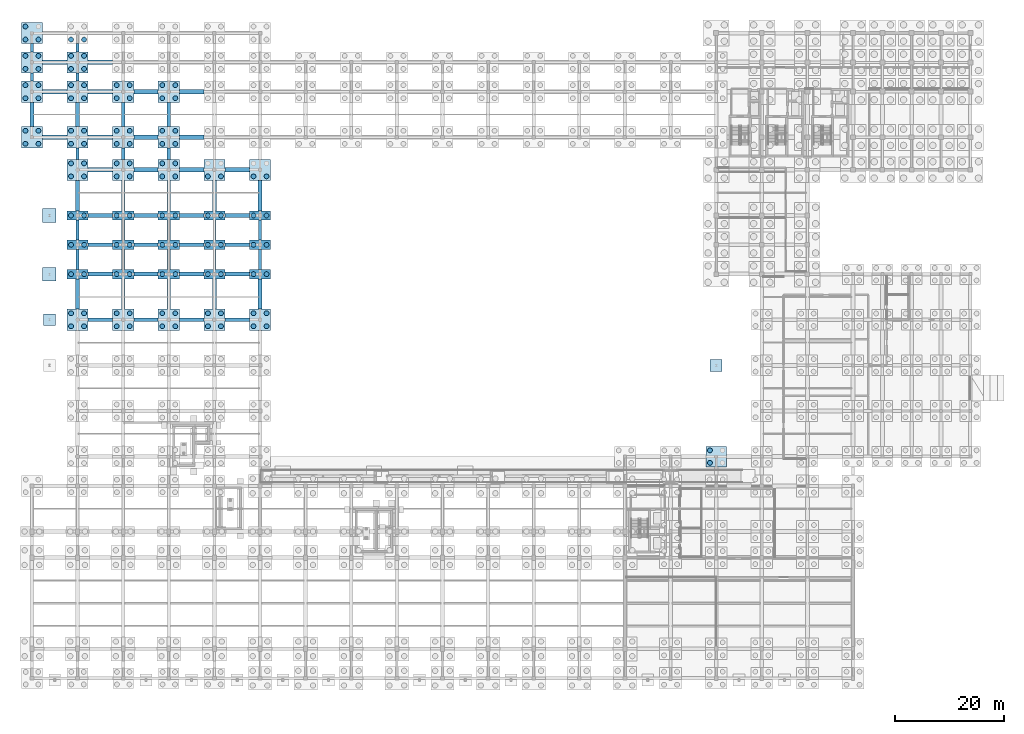
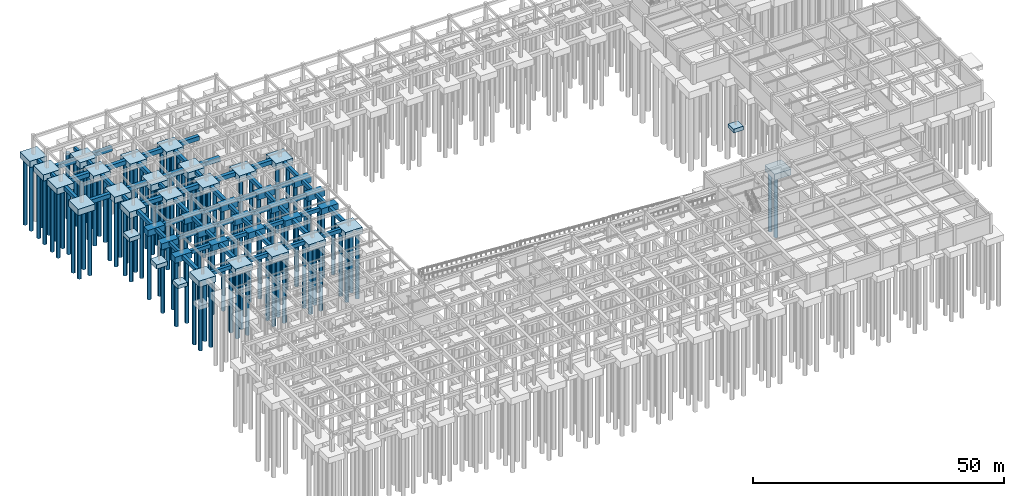
# One storey, part 5 of 49: 113 piles, 102 footings.
"""IFC4 building model written with IfcOpenShell, lengths in metres."""

from ifc_helpers import new_model, si_unit, direction, frame, origin, origin_2d, place, context, subcontext, project, spatial, rectangle, circle, extrude, material, material_profile, profile_set, type_object, element, save


model = new_model("IFC4")

# Units and contexts
model_context = context("Model", 3, precision=1e-05, world=origin(), true_north=direction((0.0, 1.0)))
body_context = subcontext(model_context, "Body", "Model", "MODEL_VIEW")
ifc_project = project(units=[si_unit("LENGTHUNIT", "METRE"), si_unit("AREAUNIT", "SQUARE_METRE"), si_unit("VOLUMEUNIT", "CUBIC_METRE"), si_unit("PLANEANGLEUNIT", "RADIAN"), si_unit("MASSUNIT", "GRAM", prefix="KILO")], contexts=[model_context])

# Site, building, storey
site_placement = place(None, origin())
site = spatial("IfcSite", under=ifc_project, at=site_placement, CompositionType="ELEMENT")
building_placement = place(site_placement, origin())
building = spatial("IfcBuilding", under=site, at=building_placement, Name="Krzemoval Escarpment Law Courts", CompositionType="ELEMENT")
storey_placement = place(building_placement, frame((0.0, 0.0, -4.800048828125)))
storey = spatial("IfcBuildingStorey", under=building, at=storey_placement, Name="B1", CompositionType="ELEMENT", Elevation=-4.800048828125)

# Footings
ifc_material_1 = material(Name="Concrete C35/45", Category="concrete")
footing_type_1 = type_object("IfcFootingType", Name="CAP-2P-3900x1700x1450", PredefinedType="PILE_CAP", material=ifc_material_1)
for number, where, z_axis, x_axis, name in (
    (1, (8.39990234375, 74.39990234375, -1.44970703125), (0.0, 0.0, 1.0), (1.0, 0.0, 0.0), "Pile Cap FC-019"),
    (2, (8.39990234375, 79.800048828125, -1.44970703125), (0.0, 0.0, 1.0), (1.0, 0.0, 0.0), "Pile Cap FC-020"),
    (3, (8.39990234375, 85.199951171875, -1.44970703125), (0.0, 0.0, 1.0), (1.0, 0.0, 0.0), "Pile Cap FC-021"),
    (4, (16.800048828125, 74.39990234375, -1.44970703125), (0.0, 0.0, 1.0), (1.0, 0.0, 0.0), "Pile Cap FC-036"),
    (5, (16.800048828125, 79.800048828125, -1.44970703125), (0.0, 0.0, 1.0), (1.0, 0.0, 0.0), "Pile Cap FC-037"),
    (6, (16.800048828125, 85.199951171875, -1.44970703125), (0.0, 0.0, 1.0), (1.0, 0.0, 0.0), "Pile Cap FC-038"),
    (7, (25.199951171875, 74.39990234375, -1.44970703125), (0.0, 0.0, 1.0), (1.0, 0.0, 0.0), "Pile Cap FC-053"),
    (8, (25.199951171875, 79.800048828125, -1.44970703125), (0.0, 0.0, 1.0), (1.0, 0.0, 0.0), "Pile Cap FC-054"),
    (9, (25.199951171875, 85.199951171875, -1.44970703125), (0.0, 0.0, 1.0), (1.0, 0.0, 0.0), "Pile Cap FC-055"),
    (10, (33.60009765625, 74.39990234375, -1.44970703125), (0.0, 0.0, 1.0), (1.0, 0.0, 0.0), "Pile Cap FC-070"),
    (11, (33.60009765625, 79.800048828125, -1.44970703125), (0.0, 0.0, 1.0), (1.0, 0.0, 0.0), "Pile Cap FC-071"),
    (12, (33.60009765625, 85.199951171875, -1.44970703125), (0.0, 0.0, 1.0), (1.0, 0.0, 0.0), "Pile Cap FC-072"),
    (13, (42.0, 74.39990234375, -1.44970703125), (0.0, 0.0, 1.0), (1.0, 0.0, 0.0), "Pile Cap FC-087"),
    (14, (42.0, 79.800048828125, -1.44970703125), (0.0, 0.0, 1.0), (1.0, 0.0, 0.0), "Pile Cap FC-088"),
    (15, (42.0, 85.199951171875, -1.44970703125), (0.0, 0.0, 1.0), (1.0, 0.0, 0.0), "Pile Cap FC-089"),
):
    element("IfcFooting", number, at=place(storey_placement, frame(where, z_axis=z_axis, x_axis=x_axis)), inside=storey, type_object=footing_type_1, Name=name, PredefinedType="PILE_CAP", context=body_context, shape_type="SweptSolid", body=[
        extrude(rectangle(XDim=3.89990234375, YDim=1.699951171875, at=origin_2d()), origin(), (0.0, 0.0, 1.0), 1.449951171875),
    ])
ifc_material_2 = material(Name="Concrete C35/45", Category="concrete")
footing_type_2 = type_object("IfcFootingType", Name="CAP-4P-3800x3800x1450", PredefinedType="PILE_CAP", material=ifc_material_2)
footing_placement = place(storey_placement, frame((126.0, 40.800048828125, -1.44970703125), z_axis=(0.0, 0.0, 1.0), x_axis=(1.0, 0.0, 0.0)))
element("IfcFooting", 16, at=footing_placement, inside=storey, type_object=footing_type_2, Name="Pile Cap FC-174", PredefinedType="PILE_CAP", context=body_context, shape_type="SweptSolid", body=[
    extrude(rectangle(XDim=3.800048828125, YDim=3.800048828125, at=origin_2d()), origin(), (0.0, 0.0, 1.0), 1.449951171875),
])
ifc_material_3 = material(Name="Concrete C35/45", Category="concrete")
footing_type_3 = type_object("IfcFootingType", Name="CAP-4P-3900x3900x1500", PredefinedType="PILE_CAP", material=ifc_material_3)
for number, where, z_axis, x_axis, name in (
    (17, (0.0, 99.60009765625, -1.5), (0.0, 0.0, 1.0), (1.0, 0.0, 0.0), "Pile Cap FC-006"),
    (18, (0.0, 108.0, -1.5), (0.0, 0.0, 1.0), (1.0, 0.0, 0.0), "Pile Cap FC-007"),
    (19, (0.0, 113.39990234375, -1.5), (0.0, 0.0, 1.0), (1.0, 0.0, 0.0), "Pile Cap FC-008"),
    (20, (0.0, 118.800048828125, -1.5), (0.0, 0.0, 1.0), (1.0, 0.0, 0.0), "Pile Cap FC-009"),
    (21, (8.39990234375, 66.0, -1.5), (0.0, 0.0, 1.0), (1.0, 0.0, 0.0), "Pile Cap FC-018"),
    (22, (8.39990234375, 93.60009765625, -1.5), (0.0, 0.0, 1.0), (1.0, 0.0, 0.0), "Pile Cap FC-022"),
    (23, (8.39990234375, 99.60009765625, -1.5), (0.0, 0.0, 1.0), (1.0, 0.0, 0.0), "Pile Cap FC-023"),
    (24, (8.39990234375, 108.0, -1.5), (0.0, 0.0, 1.0), (1.0, 0.0, 0.0), "Pile Cap FC-024"),
    (25, (8.39990234375, 113.39990234375, -1.5), (0.0, 0.0, 1.0), (1.0, 0.0, 0.0), "Pile Cap FC-025"),
    (26, (16.800048828125, 66.0, -1.5), (0.0, 0.0, 1.0), (1.0, 0.0, 0.0), "Pile Cap FC-035"),
    (27, (16.800048828125, 93.60009765625, -1.5), (0.0, 0.0, 1.0), (1.0, 0.0, 0.0), "Pile Cap FC-039"),
    (28, (16.800048828125, 99.60009765625, -1.5), (0.0, 0.0, 1.0), (1.0, 0.0, 0.0), "Pile Cap FC-040"),
    (29, (16.800048828125, 108.0, -1.5), (0.0, 0.0, 1.0), (1.0, 0.0, 0.0), "Pile Cap FC-041"),
    (30, (25.199951171875, 66.0, -1.5), (0.0, 0.0, 1.0), (1.0, 0.0, 0.0), "Pile Cap FC-052"),
    (31, (25.199951171875, 93.60009765625, -1.5), (0.0, 0.0, 1.0), (1.0, 0.0, 0.0), "Pile Cap FC-056"),
    (32, (25.199951171875, 99.60009765625, -1.5), (0.0, 0.0, 1.0), (1.0, 0.0, 0.0), "Pile Cap FC-057"),
    (33, (25.199951171875, 108.0, -1.5), (0.0, 0.0, 1.0), (1.0, 0.0, 0.0), "Pile Cap FC-058"),
    (34, (33.60009765625, 66.0, -1.5), (0.0, 0.0, 1.0), (1.0, 0.0, 0.0), "Pile Cap FC-069"),
    (35, (33.60009765625, 93.60009765625, -1.5), (0.0, 0.0, 1.0), (1.0, 0.0, 0.0), "Pile Cap FC-073"),
    (36, (42.0, 66.0, -1.5), (0.0, 0.0, 1.0), (1.0, 0.0, 0.0), "Pile Cap FC-086"),
    (37, (42.0, 93.60009765625, -1.5), (0.0, 0.0, 1.0), (1.0, 0.0, 0.0), "Pile Cap FC-090"),
):
    element("IfcFooting", number, at=place(storey_placement, frame(where, z_axis=z_axis, x_axis=x_axis)), inside=storey, type_object=footing_type_3, Name=name, PredefinedType="PILE_CAP", context=body_context, shape_type="SweptSolid", body=[
        extrude(rectangle(XDim=3.89990234375, YDim=3.89990234375, at=origin_2d()), origin(), (0.0, 0.0, 1.0), 1.5),
    ])
ifc_material_4 = material(Name="Concrete C35/45", Category="concrete")
footing_type_4 = type_object("IfcFootingType", Name="GB-600x800-L1500", PredefinedType="FOOTING_BEAM", material=ifc_material_4)
for number, where, z_axis, x_axis, name in (
    (38, (0.0, 110.699951171875, -0.7998046875), (0.0, 0.0, 1.0), (0.0, 1.0, 0.0), "Ground Tie Beam GB-219"),
    (39, (0.0, 116.10009765625, -0.7998046875), (0.0, 0.0, 1.0), (0.0, 1.0, 0.0), "Ground Tie Beam GB-220"),
    (40, (8.39990234375, 110.699951171875, -0.7998046875), (0.0, 0.0, 1.0), (0.0, 1.0, 0.0), "Ground Tie Beam GB-235"),
    (41, (8.39990234375, 116.10009765625, -0.7998046875), (0.0, 0.0, 1.0), (0.0, 1.0, 0.0), "Ground Tie Beam GB-236"),
):
    element("IfcFooting", number, at=place(storey_placement, frame(where, z_axis=z_axis, x_axis=x_axis)), inside=storey, type_object=footing_type_4, Name=name, PredefinedType="FOOTING_BEAM", context=body_context, shape_type="SweptSolid", body=[
        extrude(rectangle(XDim=1.5, YDim=0.60009765625, at=origin_2d()), origin(), (0.0, 0.0, 1.0), 0.800048828125),
    ])
ifc_material_5 = material(Name="Concrete C35/45", Category="concrete")
footing_type_5 = type_object("IfcFootingType", Name="GB-600x800-L2100", PredefinedType="FOOTING_BEAM", material=ifc_material_5)
for number, where, z_axis, x_axis, name in (
    (42, (8.39990234375, 96.60009765625, -0.7998046875), (0.0, 0.0, 1.0), (0.0, 1.0, 0.0), "Ground Tie Beam GB-233"),
    (43, (16.800048828125, 96.60009765625, -0.7998046875), (0.0, 0.0, 1.0), (0.0, 1.0, 0.0), "Ground Tie Beam GB-249"),
    (44, (25.199951171875, 96.60009765625, -0.7998046875), (0.0, 0.0, 1.0), (0.0, 1.0, 0.0), "Ground Tie Beam GB-265"),
):
    element("IfcFooting", number, at=place(storey_placement, frame(where, z_axis=z_axis, x_axis=x_axis)), inside=storey, type_object=footing_type_5, Name=name, PredefinedType="FOOTING_BEAM", context=body_context, shape_type="SweptSolid", body=[
        extrude(rectangle(XDim=2.10009765625, YDim=0.60009765625, at=origin_2d()), origin(), (0.0, 0.0, 1.0), 0.800048828125),
    ])
ifc_material_6 = material(Name="Concrete C35/45", Category="concrete")
footing_type_6 = type_object("IfcFootingType", Name="GB-600x800-L3700", PredefinedType="FOOTING_BEAM", material=ifc_material_6)
for number, where, z_axis, x_axis, name in (
    (45, (8.39990234375, 77.10009765625, -0.7998046875), (0.0, 0.0, 1.0), (0.0, 1.0, 0.0), "Ground Tie Beam GB-230"),
    (46, (8.39990234375, 82.5, -0.7998046875), (0.0, 0.0, 1.0), (0.0, 1.0, 0.0), "Ground Tie Beam GB-231"),
    (47, (16.800048828125, 77.10009765625, -0.7998046875), (0.0, 0.0, 1.0), (0.0, 1.0, 0.0), "Ground Tie Beam GB-246"),
    (48, (16.800048828125, 82.5, -0.7998046875), (0.0, 0.0, 1.0), (0.0, 1.0, 0.0), "Ground Tie Beam GB-247"),
    (49, (25.199951171875, 77.10009765625, -0.7998046875), (0.0, 0.0, 1.0), (0.0, 1.0, 0.0), "Ground Tie Beam GB-262"),
    (50, (25.199951171875, 82.5, -0.7998046875), (0.0, 0.0, 1.0), (0.0, 1.0, 0.0), "Ground Tie Beam GB-263"),
    (51, (33.60009765625, 77.10009765625, -0.7998046875), (0.0, 0.0, 1.0), (0.0, 1.0, 0.0), "Ground Tie Beam GB-278"),
    (52, (33.60009765625, 82.5, -0.7998046875), (0.0, 0.0, 1.0), (0.0, 1.0, 0.0), "Ground Tie Beam GB-279"),
    (53, (42.0, 77.10009765625, -0.7998046875), (0.0, 0.0, 1.0), (0.0, 1.0, 0.0), "Ground Tie Beam GB-293"),
    (54, (42.0, 82.5, -0.7998046875), (0.0, 0.0, 1.0), (0.0, 1.0, 0.0), "Ground Tie Beam GB-294"),
):
    element("IfcFooting", number, at=place(storey_placement, frame(where, z_axis=z_axis, x_axis=x_axis)), inside=storey, type_object=footing_type_6, Name=name, PredefinedType="FOOTING_BEAM", context=body_context, shape_type="SweptSolid", body=[
        extrude(rectangle(XDim=3.699951171875, YDim=0.60009765625, at=origin_2d()), origin(), (0.0, 0.0, 1.0), 0.800048828125),
    ])
ifc_material_7 = material(Name="Concrete C35/45", Category="concrete")
footing_type_7 = type_object("IfcFootingType", Name="GB-700x900-L4500", PredefinedType="FOOTING_BEAM", material=ifc_material_7)
for number, where, z_axis, x_axis, name in (
    (55, (12.60009765625, 66.0, -0.89990234375), (0.0, 0.0, 1.0), (1.0, 0.0, 0.0), "Ground Tie Beam GB-112"),
    (56, (21.0, 66.0, -0.89990234375), (0.0, 0.0, 1.0), (1.0, 0.0, 0.0), "Ground Tie Beam GB-113"),
    (57, (29.39990234375, 66.0, -0.89990234375), (0.0, 0.0, 1.0), (1.0, 0.0, 0.0), "Ground Tie Beam GB-114"),
    (58, (37.800048828125, 66.0, -0.89990234375), (0.0, 0.0, 1.0), (1.0, 0.0, 0.0), "Ground Tie Beam GB-115"),
    (59, (12.60009765625, 74.39990234375, -0.89990234375), (0.0, 0.0, 1.0), (1.0, 0.0, 0.0), "Ground Tie Beam GB-122"),
    (60, (21.0, 74.39990234375, -0.89990234375), (0.0, 0.0, 1.0), (1.0, 0.0, 0.0), "Ground Tie Beam GB-123"),
    (61, (29.39990234375, 74.39990234375, -0.89990234375), (0.0, 0.0, 1.0), (1.0, 0.0, 0.0), "Ground Tie Beam GB-124"),
    (62, (37.800048828125, 74.39990234375, -0.89990234375), (0.0, 0.0, 1.0), (1.0, 0.0, 0.0), "Ground Tie Beam GB-125"),
    (63, (12.60009765625, 79.800048828125, -0.89990234375), (0.0, 0.0, 1.0), (1.0, 0.0, 0.0), "Ground Tie Beam GB-133"),
    (64, (21.0, 79.800048828125, -0.89990234375), (0.0, 0.0, 1.0), (1.0, 0.0, 0.0), "Ground Tie Beam GB-134"),
    (65, (29.39990234375, 79.800048828125, -0.89990234375), (0.0, 0.0, 1.0), (1.0, 0.0, 0.0), "Ground Tie Beam GB-135"),
    (66, (37.800048828125, 79.800048828125, -0.89990234375), (0.0, 0.0, 1.0), (1.0, 0.0, 0.0), "Ground Tie Beam GB-136"),
    (67, (12.60009765625, 85.199951171875, -0.89990234375), (0.0, 0.0, 1.0), (1.0, 0.0, 0.0), "Ground Tie Beam GB-139"),
    (68, (21.0, 85.199951171875, -0.89990234375), (0.0, 0.0, 1.0), (1.0, 0.0, 0.0), "Ground Tie Beam GB-140"),
    (69, (29.39990234375, 85.199951171875, -0.89990234375), (0.0, 0.0, 1.0), (1.0, 0.0, 0.0), "Ground Tie Beam GB-141"),
    (70, (37.800048828125, 85.199951171875, -0.89990234375), (0.0, 0.0, 1.0), (1.0, 0.0, 0.0), "Ground Tie Beam GB-142"),
    (71, (0.0, 103.800048828125, -0.89990234375), (0.0, 0.0, 1.0), (0.0, 1.0, 0.0), "Ground Tie Beam GB-218"),
    (72, (8.39990234375, 103.800048828125, -0.89990234375), (0.0, 0.0, 1.0), (0.0, 1.0, 0.0), "Ground Tie Beam GB-234"),
    (73, (16.800048828125, 103.800048828125, -0.89990234375), (0.0, 0.0, 1.0), (0.0, 1.0, 0.0), "Ground Tie Beam GB-250"),
    (74, (25.199951171875, 103.800048828125, -0.89990234375), (0.0, 0.0, 1.0), (0.0, 1.0, 0.0), "Ground Tie Beam GB-266"),
):
    element("IfcFooting", number, at=place(storey_placement, frame(where, z_axis=z_axis, x_axis=x_axis)), inside=storey, type_object=footing_type_7, Name=name, PredefinedType="FOOTING_BEAM", context=body_context, shape_type="SweptSolid", body=[
        extrude(rectangle(XDim=4.5, YDim=0.699951171875, at=origin_2d()), origin(), (0.0, 0.0, 1.0), 0.89990234375),
    ])
ifc_material_8 = material(Name="Concrete C35/45", Category="concrete")
footing_type_8 = type_object("IfcFootingType", Name="GB-700x900-L5600", PredefinedType="FOOTING_BEAM", material=ifc_material_8)
for number, where, z_axis, x_axis, name in (
    (75, (8.39990234375, 70.75, -0.89990234375), (0.0, 0.0, 1.0), (0.0, 1.0, 0.0), "Ground Tie Beam GB-229"),
    (76, (8.39990234375, 88.85009765625, -0.89990234375), (0.0, 0.0, 1.0), (0.0, 1.0, 0.0), "Ground Tie Beam GB-232"),
    (77, (16.800048828125, 70.75, -0.89990234375), (0.0, 0.0, 1.0), (0.0, 1.0, 0.0), "Ground Tie Beam GB-245"),
    (78, (16.800048828125, 88.85009765625, -0.89990234375), (0.0, 0.0, 1.0), (0.0, 1.0, 0.0), "Ground Tie Beam GB-248"),
    (79, (25.199951171875, 70.75, -0.89990234375), (0.0, 0.0, 1.0), (0.0, 1.0, 0.0), "Ground Tie Beam GB-261"),
    (80, (25.199951171875, 88.85009765625, -0.89990234375), (0.0, 0.0, 1.0), (0.0, 1.0, 0.0), "Ground Tie Beam GB-264"),
    (81, (33.60009765625, 70.75, -0.89990234375), (0.0, 0.0, 1.0), (0.0, 1.0, 0.0), "Ground Tie Beam GB-277"),
    (82, (33.60009765625, 88.85009765625, -0.89990234375), (0.0, 0.0, 1.0), (0.0, 1.0, 0.0), "Ground Tie Beam GB-280"),
    (83, (42.0, 70.75, -0.89990234375), (0.0, 0.0, 1.0), (0.0, 1.0, 0.0), "Ground Tie Beam GB-292"),
    (84, (42.0, 88.85009765625, -0.89990234375), (0.0, 0.0, 1.0), (0.0, 1.0, 0.0), "Ground Tie Beam GB-295"),
):
    element("IfcFooting", number, at=place(storey_placement, frame(where, z_axis=z_axis, x_axis=x_axis)), inside=storey, type_object=footing_type_8, Name=name, PredefinedType="FOOTING_BEAM", context=body_context, shape_type="SweptSolid", body=[
        extrude(rectangle(XDim=5.60009765625, YDim=0.699951171875, at=origin_2d()), origin(), (0.0, 0.0, 1.0), 0.89990234375),
    ])
ifc_material_9 = material(Name="Concrete C35/45", Category="concrete")
footing_type_9 = type_object("IfcFootingType", Name="GB-800x1000-L4500", PredefinedType="FOOTING_BEAM", material=ifc_material_9)
for number, where, z_axis, x_axis, name in (
    (85, (12.60009765625, 93.60009765625, -1.0), (0.0, 0.0, 1.0), (1.0, 0.0, 0.0), "Ground Tie Beam GB-145"),
    (86, (21.0, 93.60009765625, -1.0), (0.0, 0.0, 1.0), (1.0, 0.0, 0.0), "Ground Tie Beam GB-146"),
    (87, (29.39990234375, 93.60009765625, -1.0), (0.0, 0.0, 1.0), (1.0, 0.0, 0.0), "Ground Tie Beam GB-147"),
    (88, (37.800048828125, 93.60009765625, -1.0), (0.0, 0.0, 1.0), (1.0, 0.0, 0.0), "Ground Tie Beam GB-148"),
    (89, (4.199951171875, 99.60009765625, -1.0), (0.0, 0.0, 1.0), (1.0, 0.0, 0.0), "Ground Tie Beam GB-152"),
    (90, (12.60009765625, 99.60009765625, -1.0), (0.0, 0.0, 1.0), (1.0, 0.0, 0.0), "Ground Tie Beam GB-153"),
    (91, (21.0, 99.60009765625, -1.0), (0.0, 0.0, 1.0), (1.0, 0.0, 0.0), "Ground Tie Beam GB-154"),
    (92, (29.39990234375, 99.60009765625, -1.0), (0.0, 0.0, 1.0), (1.0, 0.0, 0.0), "Ground Tie Beam GB-155"),
    (93, (4.199951171875, 108.0, -1.0), (0.0, 0.0, 1.0), (1.0, 0.0, 0.0), "Ground Tie Beam GB-170"),
    (94, (12.60009765625, 108.0, -1.0), (0.0, 0.0, 1.0), (1.0, 0.0, 0.0), "Ground Tie Beam GB-171"),
    (95, (21.0, 108.0, -1.0), (0.0, 0.0, 1.0), (1.0, 0.0, 0.0), "Ground Tie Beam GB-172"),
    (96, (29.39990234375, 108.0, -1.0), (0.0, 0.0, 1.0), (1.0, 0.0, 0.0), "Ground Tie Beam GB-173"),
    (97, (4.199951171875, 113.39990234375, -1.0), (0.0, 0.0, 1.0), (1.0, 0.0, 0.0), "Ground Tie Beam GB-188"),
    (98, (12.60009765625, 113.39990234375, -1.0), (0.0, 0.0, 1.0), (1.0, 0.0, 0.0), "Ground Tie Beam GB-189"),
):
    element("IfcFooting", number, at=place(storey_placement, frame(where, z_axis=z_axis, x_axis=x_axis)), inside=storey, type_object=footing_type_9, Name=name, PredefinedType="FOOTING_BEAM", context=body_context, shape_type="SweptSolid", body=[
        extrude(rectangle(XDim=4.5, YDim=0.800048828125, at=origin_2d()), origin(), (0.0, 0.0, 1.0), 1.0),
    ])
ifc_material_10 = material(Name="Concrete C35/45", Category="concrete")
footing_type_10 = type_object("IfcFootingType", Name="PAD-2200x2200x900", PredefinedType="PAD_FOOTING", material=ifc_material_10)
for number, where, z_axis, x_axis, name in (
    (99, (3.199951171875, 66.0, -0.89990234375), (0.0, 0.0, 1.0), (1.0, 0.0, 0.0), "Pad Footing PF-002"),
    (100, (126.0, 57.60009765625, -0.89990234375), (0.0, 0.0, 1.0), (1.0, 0.0, 0.0), "Passage Canopy Pad PF-PASS-126"),
):
    element("IfcFooting", number, at=place(storey_placement, frame(where, z_axis=z_axis, x_axis=x_axis)), inside=storey, type_object=footing_type_10, Name=name, PredefinedType="PAD_FOOTING", context=body_context, shape_type="SweptSolid", body=[
        extrude(rectangle(XDim=2.199951171875, YDim=2.199951171875, at=origin_2d()), origin(), (0.0, 0.0, 1.0), 0.89990234375),
    ])
ifc_material_11 = material(Name="Concrete C35/45", Category="concrete")
footing_type_11 = type_object("IfcFootingType", Name="PAD-2500x2500x1000", PredefinedType="PAD_FOOTING", material=ifc_material_11)
for number, where, z_axis, x_axis, name in (
    (101, (3.199951171875, 74.39990234375, -1.0), (0.0, 0.0, 1.0), (1.0, 0.0, 0.0), "Pad Footing PF-003"),
    (102, (3.199951171875, 85.199951171875, -1.0), (0.0, 0.0, 1.0), (1.0, 0.0, 0.0), "Pad Footing PF-004"),
):
    element("IfcFooting", number, at=place(storey_placement, frame(where, z_axis=z_axis, x_axis=x_axis)), inside=storey, type_object=footing_type_11, Name=name, PredefinedType="PAD_FOOTING", context=body_context, shape_type="SweptSolid", body=[
        extrude(rectangle(XDim=2.5, YDim=2.5, at=origin_2d()), origin(), (0.0, 0.0, 1.0), 1.0),
    ])

# Piles
ifc_material_12 = material(Name="Concrete C35/45", Category="concrete")
ifc_material_profile_1 = material_profile(ifc_material_12, circle(Radius=0.449951171875, at=origin_2d()), Name="PILE D900")
ifc_profile_set_1 = profile_set([ifc_material_profile_1], Name="Concrete C35/45")
pile_type_1 = type_object("IfcPileType", Name="PILE-D750-14M", PredefinedType="BORED", material=ifc_profile_set_1)
for number, where, z_axis, x_axis, name in (
    (103, (124.85009765625, 39.64990234375, -1.300048828125), (0.0, 0.0, -1.0), (1.0, 0.0, 0.0), "Bored Pile FP-0635"),
    (104, (124.85009765625, 41.949951171875, -1.300048828125), (0.0, 0.0, -1.0), (1.0, 0.0, 0.0), "Bored Pile FP-0637"),
):
    element("IfcPile", number, at=place(storey_placement, frame(where, z_axis=z_axis, x_axis=x_axis)), inside=storey, type_object=pile_type_1, Name=name, PredefinedType="BORED", context=body_context, shape_type="SweptSolid", body=[
        extrude(circle(Radius=0.449951171875, at=origin_2d()), origin(), (0.0, 0.0, 1.0), 14.5),
    ])
ifc_material_13 = material(Name="Concrete C35/45", Category="concrete")
ifc_material_profile_2 = material_profile(ifc_material_13, circle(Radius=0.449951171875, at=origin_2d()), Name="PILE D900")
ifc_profile_set_2 = profile_set([ifc_material_profile_2], Name="Concrete C35/45")
pile_type_2 = type_object("IfcPileType", Name="PILE-D900-16M", PredefinedType="BORED", material=ifc_profile_set_2)
for number, where, z_axis, x_axis, name in (
    (105, (-1.199951171875, 98.39990234375, -1.349853515625), (0.0, 0.0, -1.0), (1.0, 0.0, 0.0), "Bored Pile FP-0019"),
    (106, (1.199951171875, 98.39990234375, -1.349853515625), (0.0, 0.0, -1.0), (1.0, 0.0, 0.0), "Bored Pile FP-0020"),
    (107, (-1.199951171875, 100.800048828125, -1.349853515625), (0.0, 0.0, -1.0), (1.0, 0.0, 0.0), "Bored Pile FP-0021"),
    (108, (1.199951171875, 100.800048828125, -1.349853515625), (0.0, 0.0, -1.0), (1.0, 0.0, 0.0), "Bored Pile FP-0022"),
    (109, (-1.199951171875, 106.800048828125, -1.349853515625), (0.0, 0.0, -1.0), (1.0, 0.0, 0.0), "Bored Pile FP-0023"),
    (110, (1.199951171875, 106.800048828125, -1.349853515625), (0.0, 0.0, -1.0), (1.0, 0.0, 0.0), "Bored Pile FP-0024"),
    (111, (-1.199951171875, 109.199951171875, -1.349853515625), (0.0, 0.0, -1.0), (1.0, 0.0, 0.0), "Bored Pile FP-0025"),
    (112, (1.199951171875, 109.199951171875, -1.349853515625), (0.0, 0.0, -1.0), (1.0, 0.0, 0.0), "Bored Pile FP-0026"),
    (113, (-1.199951171875, 112.199951171875, -1.349853515625), (0.0, 0.0, -1.0), (1.0, 0.0, 0.0), "Bored Pile FP-0027"),
    (114, (1.199951171875, 112.199951171875, -1.349853515625), (0.0, 0.0, -1.0), (1.0, 0.0, 0.0), "Bored Pile FP-0028"),
    (115, (-1.199951171875, 114.60009765625, -1.349853515625), (0.0, 0.0, -1.0), (1.0, 0.0, 0.0), "Bored Pile FP-0029"),
    (116, (1.199951171875, 114.60009765625, -1.349853515625), (0.0, 0.0, -1.0), (1.0, 0.0, 0.0), "Bored Pile FP-0030"),
    (117, (-1.199951171875, 117.60009765625, -1.349853515625), (0.0, 0.0, -1.0), (1.0, 0.0, 0.0), "Bored Pile FP-0031"),
    (118, (1.199951171875, 117.60009765625, -1.349853515625), (0.0, 0.0, -1.0), (1.0, 0.0, 0.0), "Bored Pile FP-0032"),
    (119, (-1.199951171875, 120.0, -1.349853515625), (0.0, 0.0, -1.0), (1.0, 0.0, 0.0), "Bored Pile FP-0033"),
    (120, (7.199951171875, 64.800048828125, -1.349853515625), (0.0, 0.0, -1.0), (1.0, 0.0, 0.0), "Bored Pile FP-0065"),
    (121, (9.60009765625, 64.800048828125, -1.349853515625), (0.0, 0.0, -1.0), (1.0, 0.0, 0.0), "Bored Pile FP-0066"),
    (122, (7.199951171875, 67.199951171875, -1.349853515625), (0.0, 0.0, -1.0), (1.0, 0.0, 0.0), "Bored Pile FP-0067"),
    (123, (9.60009765625, 67.199951171875, -1.349853515625), (0.0, 0.0, -1.0), (1.0, 0.0, 0.0), "Bored Pile FP-0068"),
    (124, (7.199951171875, 74.39990234375, -1.300048828125), (0.0, 0.0, -1.0), (1.0, 0.0, 0.0), "Bored Pile FP-0069"),
    (125, (9.60009765625, 74.39990234375, -1.300048828125), (0.0, 0.0, -1.0), (1.0, 0.0, 0.0), "Bored Pile FP-0070"),
    (126, (7.199951171875, 79.800048828125, -1.300048828125), (0.0, 0.0, -1.0), (1.0, 0.0, 0.0), "Bored Pile FP-0071"),
    (127, (9.60009765625, 79.800048828125, -1.300048828125), (0.0, 0.0, -1.0), (1.0, 0.0, 0.0), "Bored Pile FP-0072"),
    (128, (7.199951171875, 85.199951171875, -1.300048828125), (0.0, 0.0, -1.0), (1.0, 0.0, 0.0), "Bored Pile FP-0073"),
    (129, (9.60009765625, 85.199951171875, -1.300048828125), (0.0, 0.0, -1.0), (1.0, 0.0, 0.0), "Bored Pile FP-0074"),
    (130, (7.199951171875, 92.39990234375, -1.349853515625), (0.0, 0.0, -1.0), (1.0, 0.0, 0.0), "Bored Pile FP-0075"),
    (131, (9.60009765625, 92.39990234375, -1.349853515625), (0.0, 0.0, -1.0), (1.0, 0.0, 0.0), "Bored Pile FP-0076"),
    (132, (7.199951171875, 94.800048828125, -1.349853515625), (0.0, 0.0, -1.0), (1.0, 0.0, 0.0), "Bored Pile FP-0077"),
    (133, (9.60009765625, 94.800048828125, -1.349853515625), (0.0, 0.0, -1.0), (1.0, 0.0, 0.0), "Bored Pile FP-0078"),
    (134, (7.199951171875, 98.39990234375, -1.349853515625), (0.0, 0.0, -1.0), (1.0, 0.0, 0.0), "Bored Pile FP-0079"),
    (135, (9.60009765625, 98.39990234375, -1.349853515625), (0.0, 0.0, -1.0), (1.0, 0.0, 0.0), "Bored Pile FP-0080"),
    (136, (7.199951171875, 100.800048828125, -1.349853515625), (0.0, 0.0, -1.0), (1.0, 0.0, 0.0), "Bored Pile FP-0081"),
    (137, (9.60009765625, 100.800048828125, -1.349853515625), (0.0, 0.0, -1.0), (1.0, 0.0, 0.0), "Bored Pile FP-0082"),
    (138, (7.199951171875, 106.800048828125, -1.349853515625), (0.0, 0.0, -1.0), (1.0, 0.0, 0.0), "Bored Pile FP-0083"),
    (139, (9.60009765625, 106.800048828125, -1.349853515625), (0.0, 0.0, -1.0), (1.0, 0.0, 0.0), "Bored Pile FP-0084"),
    (140, (7.199951171875, 109.199951171875, -1.349853515625), (0.0, 0.0, -1.0), (1.0, 0.0, 0.0), "Bored Pile FP-0085"),
    (141, (9.60009765625, 109.199951171875, -1.349853515625), (0.0, 0.0, -1.0), (1.0, 0.0, 0.0), "Bored Pile FP-0086"),
    (142, (7.199951171875, 112.199951171875, -1.349853515625), (0.0, 0.0, -1.0), (1.0, 0.0, 0.0), "Bored Pile FP-0087"),
    (143, (9.60009765625, 112.199951171875, -1.349853515625), (0.0, 0.0, -1.0), (1.0, 0.0, 0.0), "Bored Pile FP-0088"),
    (144, (7.199951171875, 114.60009765625, -1.349853515625), (0.0, 0.0, -1.0), (1.0, 0.0, 0.0), "Bored Pile FP-0089"),
    (145, (9.60009765625, 114.60009765625, -1.349853515625), (0.0, 0.0, -1.0), (1.0, 0.0, 0.0), "Bored Pile FP-0090"),
    (146, (7.199951171875, 117.60009765625, -1.349853515625), (0.0, 0.0, -1.0), (1.0, 0.0, 0.0), "Bored Pile FP-0091"),
    (147, (9.60009765625, 117.60009765625, -1.349853515625), (0.0, 0.0, -1.0), (1.0, 0.0, 0.0), "Bored Pile FP-0092"),
    (148, (15.60009765625, 64.800048828125, -1.349853515625), (0.0, 0.0, -1.0), (1.0, 0.0, 0.0), "Bored Pile FP-0125"),
    (149, (18.0, 64.800048828125, -1.349853515625), (0.0, 0.0, -1.0), (1.0, 0.0, 0.0), "Bored Pile FP-0126"),
    (150, (15.60009765625, 67.199951171875, -1.349853515625), (0.0, 0.0, -1.0), (1.0, 0.0, 0.0), "Bored Pile FP-0127"),
    (151, (18.0, 67.199951171875, -1.349853515625), (0.0, 0.0, -1.0), (1.0, 0.0, 0.0), "Bored Pile FP-0128"),
    (152, (15.60009765625, 74.39990234375, -1.300048828125), (0.0, 0.0, -1.0), (1.0, 0.0, 0.0), "Bored Pile FP-0129"),
    (153, (18.0, 74.39990234375, -1.300048828125), (0.0, 0.0, -1.0), (1.0, 0.0, 0.0), "Bored Pile FP-0130"),
    (154, (15.60009765625, 79.800048828125, -1.300048828125), (0.0, 0.0, -1.0), (1.0, 0.0, 0.0), "Bored Pile FP-0131"),
    (155, (18.0, 79.800048828125, -1.300048828125), (0.0, 0.0, -1.0), (1.0, 0.0, 0.0), "Bored Pile FP-0132"),
    (156, (15.60009765625, 85.199951171875, -1.300048828125), (0.0, 0.0, -1.0), (1.0, 0.0, 0.0), "Bored Pile FP-0133"),
    (157, (18.0, 85.199951171875, -1.300048828125), (0.0, 0.0, -1.0), (1.0, 0.0, 0.0), "Bored Pile FP-0134"),
    (158, (15.60009765625, 92.39990234375, -1.349853515625), (0.0, 0.0, -1.0), (1.0, 0.0, 0.0), "Bored Pile FP-0135"),
    (159, (18.0, 92.39990234375, -1.349853515625), (0.0, 0.0, -1.0), (1.0, 0.0, 0.0), "Bored Pile FP-0136"),
    (160, (15.60009765625, 94.800048828125, -1.349853515625), (0.0, 0.0, -1.0), (1.0, 0.0, 0.0), "Bored Pile FP-0137"),
    (161, (18.0, 94.800048828125, -1.349853515625), (0.0, 0.0, -1.0), (1.0, 0.0, 0.0), "Bored Pile FP-0138"),
    (162, (15.60009765625, 98.39990234375, -1.349853515625), (0.0, 0.0, -1.0), (1.0, 0.0, 0.0), "Bored Pile FP-0139"),
    (163, (18.0, 98.39990234375, -1.349853515625), (0.0, 0.0, -1.0), (1.0, 0.0, 0.0), "Bored Pile FP-0140"),
    (164, (15.60009765625, 100.800048828125, -1.349853515625), (0.0, 0.0, -1.0), (1.0, 0.0, 0.0), "Bored Pile FP-0141"),
    (165, (18.0, 100.800048828125, -1.349853515625), (0.0, 0.0, -1.0), (1.0, 0.0, 0.0), "Bored Pile FP-0142"),
    (166, (15.60009765625, 106.800048828125, -1.349853515625), (0.0, 0.0, -1.0), (1.0, 0.0, 0.0), "Bored Pile FP-0143"),
    (167, (18.0, 106.800048828125, -1.349853515625), (0.0, 0.0, -1.0), (1.0, 0.0, 0.0), "Bored Pile FP-0144"),
    (168, (15.60009765625, 109.199951171875, -1.349853515625), (0.0, 0.0, -1.0), (1.0, 0.0, 0.0), "Bored Pile FP-0145"),
    (169, (18.0, 109.199951171875, -1.349853515625), (0.0, 0.0, -1.0), (1.0, 0.0, 0.0), "Bored Pile FP-0146"),
    (170, (24.0, 64.800048828125, -1.349853515625), (0.0, 0.0, -1.0), (1.0, 0.0, 0.0), "Bored Pile FP-0185"),
    (171, (26.39990234375, 64.800048828125, -1.349853515625), (0.0, 0.0, -1.0), (1.0, 0.0, 0.0), "Bored Pile FP-0186"),
    (172, (24.0, 67.199951171875, -1.349853515625), (0.0, 0.0, -1.0), (1.0, 0.0, 0.0), "Bored Pile FP-0187"),
    (173, (26.39990234375, 67.199951171875, -1.349853515625), (0.0, 0.0, -1.0), (1.0, 0.0, 0.0), "Bored Pile FP-0188"),
    (174, (24.0, 74.39990234375, -1.300048828125), (0.0, 0.0, -1.0), (1.0, 0.0, 0.0), "Bored Pile FP-0189"),
    (175, (26.39990234375, 74.39990234375, -1.300048828125), (0.0, 0.0, -1.0), (1.0, 0.0, 0.0), "Bored Pile FP-0190"),
    (176, (24.0, 79.800048828125, -1.300048828125), (0.0, 0.0, -1.0), (1.0, 0.0, 0.0), "Bored Pile FP-0191"),
    (177, (26.39990234375, 79.800048828125, -1.300048828125), (0.0, 0.0, -1.0), (1.0, 0.0, 0.0), "Bored Pile FP-0192"),
    (178, (24.0, 85.199951171875, -1.300048828125), (0.0, 0.0, -1.0), (1.0, 0.0, 0.0), "Bored Pile FP-0193"),
    (179, (26.39990234375, 85.199951171875, -1.300048828125), (0.0, 0.0, -1.0), (1.0, 0.0, 0.0), "Bored Pile FP-0194"),
    (180, (24.0, 92.39990234375, -1.349853515625), (0.0, 0.0, -1.0), (1.0, 0.0, 0.0), "Bored Pile FP-0195"),
    (181, (26.39990234375, 92.39990234375, -1.349853515625), (0.0, 0.0, -1.0), (1.0, 0.0, 0.0), "Bored Pile FP-0196"),
    (182, (24.0, 94.800048828125, -1.349853515625), (0.0, 0.0, -1.0), (1.0, 0.0, 0.0), "Bored Pile FP-0197"),
    (183, (26.39990234375, 94.800048828125, -1.349853515625), (0.0, 0.0, -1.0), (1.0, 0.0, 0.0), "Bored Pile FP-0198"),
    (184, (24.0, 98.39990234375, -1.349853515625), (0.0, 0.0, -1.0), (1.0, 0.0, 0.0), "Bored Pile FP-0199"),
    (185, (26.39990234375, 98.39990234375, -1.349853515625), (0.0, 0.0, -1.0), (1.0, 0.0, 0.0), "Bored Pile FP-0200"),
    (186, (24.0, 100.800048828125, -1.349853515625), (0.0, 0.0, -1.0), (1.0, 0.0, 0.0), "Bored Pile FP-0201"),
    (187, (26.39990234375, 100.800048828125, -1.349853515625), (0.0, 0.0, -1.0), (1.0, 0.0, 0.0), "Bored Pile FP-0202"),
    (188, (24.0, 106.800048828125, -1.349853515625), (0.0, 0.0, -1.0), (1.0, 0.0, 0.0), "Bored Pile FP-0203"),
    (189, (26.39990234375, 106.800048828125, -1.349853515625), (0.0, 0.0, -1.0), (1.0, 0.0, 0.0), "Bored Pile FP-0204"),
    (190, (24.0, 109.199951171875, -1.349853515625), (0.0, 0.0, -1.0), (1.0, 0.0, 0.0), "Bored Pile FP-0205"),
    (191, (26.39990234375, 109.199951171875, -1.349853515625), (0.0, 0.0, -1.0), (1.0, 0.0, 0.0), "Bored Pile FP-0206"),
    (192, (32.39990234375, 64.800048828125, -1.349853515625), (0.0, 0.0, -1.0), (1.0, 0.0, 0.0), "Bored Pile FP-0245"),
    (193, (34.800048828125, 64.800048828125, -1.349853515625), (0.0, 0.0, -1.0), (1.0, 0.0, 0.0), "Bored Pile FP-0246"),
    (194, (32.39990234375, 67.199951171875, -1.349853515625), (0.0, 0.0, -1.0), (1.0, 0.0, 0.0), "Bored Pile FP-0247"),
    (195, (34.800048828125, 67.199951171875, -1.349853515625), (0.0, 0.0, -1.0), (1.0, 0.0, 0.0), "Bored Pile FP-0248"),
    (196, (32.39990234375, 74.39990234375, -1.300048828125), (0.0, 0.0, -1.0), (1.0, 0.0, 0.0), "Bored Pile FP-0249"),
    (197, (34.800048828125, 74.39990234375, -1.300048828125), (0.0, 0.0, -1.0), (1.0, 0.0, 0.0), "Bored Pile FP-0250"),
    (198, (32.39990234375, 79.800048828125, -1.300048828125), (0.0, 0.0, -1.0), (1.0, 0.0, 0.0), "Bored Pile FP-0251"),
    (199, (34.800048828125, 79.800048828125, -1.300048828125), (0.0, 0.0, -1.0), (1.0, 0.0, 0.0), "Bored Pile FP-0252"),
    (200, (32.39990234375, 85.199951171875, -1.300048828125), (0.0, 0.0, -1.0), (1.0, 0.0, 0.0), "Bored Pile FP-0253"),
    (201, (34.800048828125, 85.199951171875, -1.300048828125), (0.0, 0.0, -1.0), (1.0, 0.0, 0.0), "Bored Pile FP-0254"),
    (202, (32.39990234375, 92.39990234375, -1.349853515625), (0.0, 0.0, -1.0), (1.0, 0.0, 0.0), "Bored Pile FP-0255"),
    (203, (34.800048828125, 92.39990234375, -1.349853515625), (0.0, 0.0, -1.0), (1.0, 0.0, 0.0), "Bored Pile FP-0256"),
    (204, (40.800048828125, 64.800048828125, -1.349853515625), (0.0, 0.0, -1.0), (1.0, 0.0, 0.0), "Bored Pile FP-0305"),
    (205, (43.199951171875, 64.800048828125, -1.349853515625), (0.0, 0.0, -1.0), (1.0, 0.0, 0.0), "Bored Pile FP-0306"),
    (206, (40.800048828125, 67.199951171875, -1.349853515625), (0.0, 0.0, -1.0), (1.0, 0.0, 0.0), "Bored Pile FP-0307"),
    (207, (43.199951171875, 67.199951171875, -1.349853515625), (0.0, 0.0, -1.0), (1.0, 0.0, 0.0), "Bored Pile FP-0308"),
    (208, (40.800048828125, 74.39990234375, -1.300048828125), (0.0, 0.0, -1.0), (1.0, 0.0, 0.0), "Bored Pile FP-0309"),
    (209, (43.199951171875, 74.39990234375, -1.300048828125), (0.0, 0.0, -1.0), (1.0, 0.0, 0.0), "Bored Pile FP-0310"),
    (210, (40.800048828125, 79.800048828125, -1.300048828125), (0.0, 0.0, -1.0), (1.0, 0.0, 0.0), "Bored Pile FP-0311"),
    (211, (43.199951171875, 79.800048828125, -1.300048828125), (0.0, 0.0, -1.0), (1.0, 0.0, 0.0), "Bored Pile FP-0312"),
    (212, (40.800048828125, 85.199951171875, -1.300048828125), (0.0, 0.0, -1.0), (1.0, 0.0, 0.0), "Bored Pile FP-0313"),
    (213, (43.199951171875, 85.199951171875, -1.300048828125), (0.0, 0.0, -1.0), (1.0, 0.0, 0.0), "Bored Pile FP-0314"),
    (214, (40.800048828125, 92.39990234375, -1.349853515625), (0.0, 0.0, -1.0), (1.0, 0.0, 0.0), "Bored Pile FP-0315"),
    (215, (43.199951171875, 92.39990234375, -1.349853515625), (0.0, 0.0, -1.0), (1.0, 0.0, 0.0), "Bored Pile FP-0316"),
):
    element("IfcPile", number, at=place(storey_placement, frame(where, z_axis=z_axis, x_axis=x_axis)), inside=storey, type_object=pile_type_2, Name=name, PredefinedType="BORED", context=body_context, shape_type="SweptSolid", body=[
        extrude(circle(Radius=0.449951171875, at=origin_2d()), origin(), (0.0, 0.0, 1.0), 16.0),
    ])

save(model, "model.ifc")
